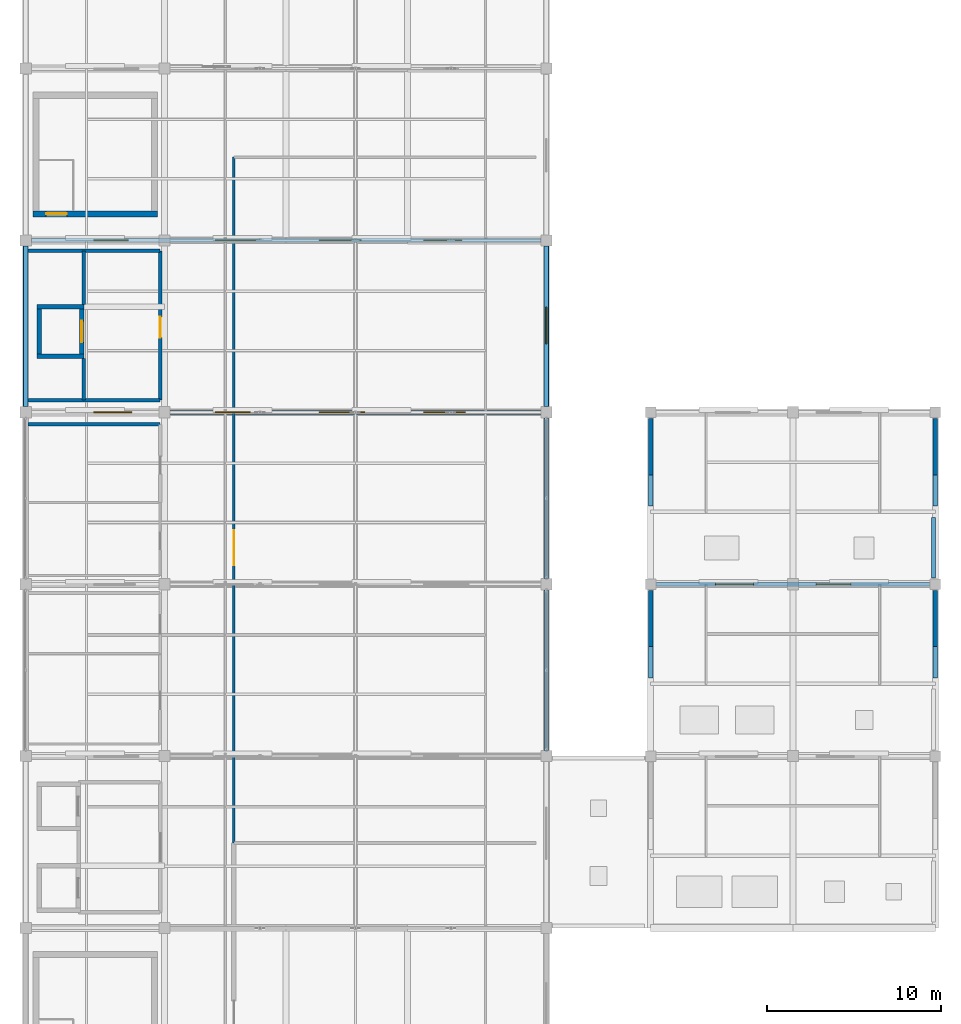
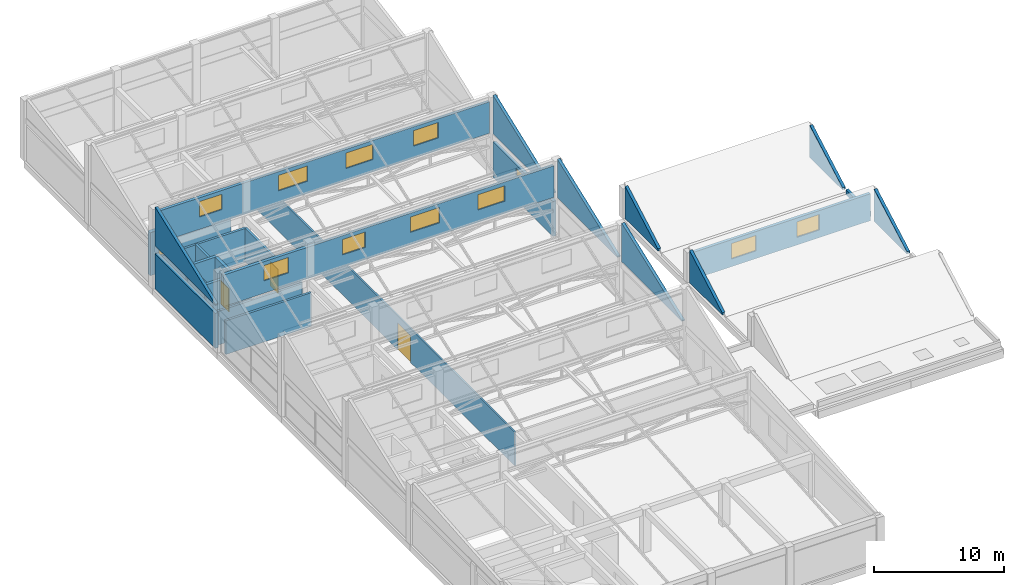
# One storey, part 31 of 35: 26 walls, 11 windows, 4 doors, 15 openings.
"""IFC4 building model written with IfcOpenShell, lengths in metres."""

from ifc_helpers import new_model, si_unit, direction, frame, frame_2d, origin, place, context, subcontext, project, spatial, polyline, rectangle, outline, extrude, material, layer, layer_set, type_object, element, fill, save


model = new_model("IFC4")

# Units and contexts
model_context = context("Model", 3, precision=1e-05, world=origin(), true_north=direction((0.0, 1.0)))
body_context = subcontext(model_context, "Body", "Model", "MODEL_VIEW")
ifc_project = project(units=[si_unit("LENGTHUNIT", "METRE"), si_unit("AREAUNIT", "SQUARE_METRE"), si_unit("VOLUMEUNIT", "CUBIC_METRE"), si_unit("PLANEANGLEUNIT", "RADIAN"), si_unit("MASSUNIT", "GRAM", prefix="KILO")], contexts=[model_context])

# Site, building, storey
site_placement = place(None, origin())
site = spatial("IfcSite", under=ifc_project, at=site_placement, CompositionType="ELEMENT")
building_placement = place(site_placement, origin())
building = spatial("IfcBuilding", under=site, at=building_placement, Name="Sillaruma Civic Art Gallery", CompositionType="ELEMENT")
storey_placement = place(building_placement, frame((0.0, 0.0, 74.4599609375)))
storey = spatial("IfcBuildingStorey", under=building, at=storey_placement, Name="L15", CompositionType="ELEMENT", Elevation=74.4599609375)

# Wall, opening, door
ifc_material_1 = material(Name="Concrete H40 (40 MPa)", Category="concrete")
ifc_layer_1 = layer(ifc_material_1, 0.35009765625, Name="Concrete H40 (40 MPa)")
ifc_layer_set_1 = layer_set([ifc_layer_1], Name="Concrete H40 (40 MPa)")
wall_type_1 = type_object("IfcWallType", Name="WAL-CORE-350", PredefinedType="SHEAR", material=ifc_layer_set_1)
wall_1_placement = place(storey_placement, frame((62.409912109375, 80.735107421875, 0.0), z_axis=(0.0, 0.0, 1.0), x_axis=(1.0, 0.0, 0.0)))
wall_1 = element("IfcWall", 1, at=wall_1_placement, inside=storey, type_object=wall_type_1, Name="Stair Core Shear Wall W-CORE-350 (ST-02:L15:S)", PredefinedType="SHEAR", context=body_context, shape_type="SweptSolid", body=[
    extrude(rectangle(XDim=7.18017578125, YDim=0.35009765625, at=frame_2d((3.590087890625, 0.0))), origin(), (0.0, 0.0, 1.0), 4.0400390625),
])
opening_1_placement = place(wall_1_placement, frame((0.77001953125, 0.0, 0.0)))
opening_1 = element("IfcOpeningElement", 2, at=opening_1_placement, cuts=wall_1, Name="Opening D-STAIR", PredefinedType="OPENING", context=body_context, shape_type="SweptSolid", body=[
    extrude(rectangle(XDim=1.199951171875, YDim=2.199951171875, at=frame_2d((0.60009765625, 1.10009765625))), frame((0.0, 0.18505859375, 0.0), z_axis=(0.0, -1.0, 0.0), x_axis=(1.0, 0.0, 0.0)), (0.0, 0.0, 1.0), 0.3701171875),
])
ifc_material_2 = material(Name="Galvanised Steel ASTM A653 Gr.50", Category="steel")
door_type_1 = type_object("IfcDoorType", Name="DOR-STAIR-120", OperationType="NOTDEFINED", PredefinedType="DOOR", material=ifc_material_2)
door_1_placement = place(opening_1_placement, origin())
door_1 = element("IfcDoor", 3, at=door_1_placement, inside=storey, type_object=door_type_1, Name="Protected Stair Fire Door (ST-02:L15)", OperationType="SINGLE_SWING_LEFT", OverallHeight=2.199951171875, OverallWidth=1.199951171875, PredefinedType="DOOR", context=body_context, shape_type="SweptSolid", body=[
    extrude(rectangle(XDim=1.199951171875, YDim=2.199951171875, at=frame_2d((0.60009765625, 1.10009765625))), frame((0.0, 0.02490234375, 0.0), z_axis=(0.0, -1.0, 0.0), x_axis=(1.0, 0.0, 0.0)), (0.0, 0.0, 1.0), 0.050048828125),
])
fill(opening_1, door_1)

# Wall
ifc_material_3 = material(Name="Concrete H35 (35 MPa)", Category="concrete")
ifc_layer_2 = layer(ifc_material_3, 0.14990234375, Name="Spandrel concrete", Category="concrete")
ifc_material_4 = material(Name="Mineral Wool Thermal Insulation", Category="insulation")
ifc_layer_3 = layer(ifc_material_4, 0.080078125, Name="Thermal insulation", Category="insulation")
ifc_material_5 = material(Name="Anodised Zinc-Aluminium Alloy", Category="aluminium")
ifc_layer_4 = layer(ifc_material_5, 0.030029296875, Name="Cladding finish", Category="aluminium")
ifc_layer_set_2 = layer_set([ifc_layer_2, ifc_layer_3, ifc_layer_4], Name="W-EXT-260")
wall_type_2 = type_object("IfcWallType", Name="WAL-EXT-260", PredefinedType="SOLIDWALL", material=ifc_layer_set_2)
wall_2_placement = place(storey_placement, frame((92.0, 49.824951171875, 4.0400390625), z_axis=(0.0, 0.0, 1.0), x_axis=(0.0, 1.0, 0.0)))
element("IfcWall", 4, at=wall_2_placement, inside=storey, type_object=wall_type_2, Name="Sawtooth Monitor Gable Cheek (2-E)", PredefinedType="SOLIDWALL", context=body_context, shape_type="SweptSolid", body=[
    extrude(outline(polyline([(0.0, 0.0), (9.25, 0.0), (9.25, 3.6201171875), (0.0, 0.10009765625), (0.0, 0.0)])), frame((0.0, 0.1298828125, 0.0), z_axis=(0.0, -1.0, 0.0), x_axis=(1.0, 0.0, 0.0)), (0.0, 0.0, 1.0), 0.260009765625),
])

# Wall, openings, windows
wall_3_placement = place(storey_placement, frame((62.324951171875, 69.300048828125, 4.0400390625), z_axis=(0.0, 0.0, 1.0), x_axis=(1.0, 0.0, 0.0)))
wall_3 = element("IfcWall", 5, at=wall_3_placement, inside=storey, type_object=wall_type_2, Name="Exterior Wall W-EXT-260 (SAW-L15-MON-3)", PredefinedType="SOLIDWALL", context=body_context, shape_type="SweptSolid", body=[
    extrude(rectangle(XDim=29.35009765625, YDim=0.260009765625, at=frame_2d((14.675048828125, 0.0))), origin(), (0.0, 0.0, 1.0), 2.95556640625),
])
opening_2_placement = place(wall_3_placement, frame((3.60009765625, 0.0, 1.14990234375)))
opening_2 = element("IfcOpeningElement", 6, at=opening_2_placement, cuts=wall_3, Name="Opening SK-03", PredefinedType="OPENING", context=body_context, shape_type="SweptSolid", body=[
    extrude(rectangle(XDim=2.199951171875, YDim=1.449951171875, at=frame_2d((1.10009765625, 0.72509765625))), frame((0.0, 0.139892578125, 0.0), z_axis=(0.0, -1.0, 0.0), x_axis=(1.0, 0.0, 0.0)), (0.0, 0.0, 1.0), 0.280029296875),
])
opening_3_placement = place(wall_3_placement, frame((10.60009765625, 0.0, 1.14990234375)))
opening_3 = element("IfcOpeningElement", 7, at=opening_3_placement, cuts=wall_3, Name="Opening SK-04", PredefinedType="OPENING", context=body_context, shape_type="SweptSolid", body=[
    extrude(rectangle(XDim=2.0, YDim=1.449951171875, at=frame_2d((1.0, 0.72509765625))), frame((0.0, 0.139892578125, 0.0), z_axis=(0.0, -1.0, 0.0), x_axis=(1.0, 0.0, 0.0)), (0.0, 0.0, 1.0), 0.280029296875),
])
opening_4_placement = place(wall_3_placement, frame((16.60009765625, 0.0, 1.14990234375)))
opening_4 = element("IfcOpeningElement", 8, at=opening_4_placement, cuts=wall_3, Name="Opening SK-01", PredefinedType="OPENING", context=body_context, shape_type="SweptSolid", body=[
    extrude(rectangle(XDim=2.60009765625, YDim=1.449951171875, at=frame_2d((1.300048828125, 0.72509765625))), frame((0.0, 0.139892578125, 0.0), z_axis=(0.0, -1.0, 0.0), x_axis=(1.0, 0.0, 0.0)), (0.0, 0.0, 1.0), 0.280029296875),
])
opening_5_placement = place(wall_3_placement, frame((22.60009765625, 0.0, 1.14990234375)))
opening_5 = element("IfcOpeningElement", 9, at=opening_5_placement, cuts=wall_3, Name="Opening SK-02", PredefinedType="OPENING", context=body_context, shape_type="SweptSolid", body=[
    extrude(rectangle(XDim=2.39990234375, YDim=1.449951171875, at=frame_2d((1.199951171875, 0.72509765625))), frame((0.0, 0.139892578125, 0.0), z_axis=(0.0, -1.0, 0.0), x_axis=(1.0, 0.0, 0.0)), (0.0, 0.0, 1.0), 0.280029296875),
])
ifc_material_6 = material(Name="Thermally Broken Extruded Aluminium 6063-T6", Category="aluminium")
window_type_1 = type_object("IfcWindowType", Name="WIN-SKY-01", PartitioningType="SINGLE_PANEL", PredefinedType="SKYLIGHT", material=ifc_material_6)
window_1_placement = place(opening_4_placement, origin())
window_1 = element("IfcWindow", 10, at=window_1_placement, inside=storey, type_object=window_type_1, Name="Window SK-01 (SAW-L15-MON-3-3)", OverallHeight=1.449951171875, OverallWidth=2.60009765625, PartitioningType="SINGLE_PANEL", PredefinedType="SKYLIGHT", context=body_context, shape_type="SweptSolid", body=[
    extrude(rectangle(XDim=2.60009765625, YDim=1.449951171875, at=frame_2d((1.300048828125, 0.72509765625))), frame((0.0, 0.030029296875, 0.0), z_axis=(0.0, -1.0, 0.0), x_axis=(1.0, 0.0, 0.0)), (0.0, 0.0, 1.0), 0.06005859375),
])
fill(opening_4, window_1)
window_type_2 = type_object("IfcWindowType", Name="WIN-SKY-02", PartitioningType="SINGLE_PANEL", PredefinedType="SKYLIGHT", material=ifc_material_6)
window_2_placement = place(opening_5_placement, origin())
window_2 = element("IfcWindow", 11, at=window_2_placement, inside=storey, type_object=window_type_2, Name="Window SK-02 (SAW-L15-MON-3-4)", OverallHeight=1.449951171875, OverallWidth=2.39990234375, PartitioningType="SINGLE_PANEL", PredefinedType="SKYLIGHT", context=body_context, shape_type="SweptSolid", body=[
    extrude(rectangle(XDim=2.39990234375, YDim=1.449951171875, at=frame_2d((1.199951171875, 0.72509765625))), frame((0.0, 0.030029296875, 0.0), z_axis=(0.0, -1.0, 0.0), x_axis=(1.0, 0.0, 0.0)), (0.0, 0.0, 1.0), 0.06005859375),
])
fill(opening_5, window_2)
window_type_3 = type_object("IfcWindowType", Name="WIN-SKY-03", PartitioningType="SINGLE_PANEL", PredefinedType="SKYLIGHT", material=ifc_material_6)
window_3_placement = place(opening_2_placement, origin())
window_3 = element("IfcWindow", 12, at=window_3_placement, inside=storey, type_object=window_type_3, Name="Window SK-03 (SAW-L15-MON-3-1)", OverallHeight=1.449951171875, OverallWidth=2.199951171875, PartitioningType="SINGLE_PANEL", PredefinedType="SKYLIGHT", context=body_context, shape_type="SweptSolid", body=[
    extrude(rectangle(XDim=2.199951171875, YDim=1.449951171875, at=frame_2d((1.10009765625, 0.72509765625))), frame((0.0, 0.030029296875, 0.0), z_axis=(0.0, -1.0, 0.0), x_axis=(1.0, 0.0, 0.0)), (0.0, 0.0, 1.0), 0.06005859375),
])
fill(opening_2, window_3)
window_type_4 = type_object("IfcWindowType", Name="WIN-SKY-04", PartitioningType="SINGLE_PANEL", PredefinedType="SKYLIGHT", material=ifc_material_6)
window_4_placement = place(opening_3_placement, origin())
window_4 = element("IfcWindow", 13, at=window_4_placement, inside=storey, type_object=window_type_4, Name="Window SK-04 (SAW-L15-MON-3-2)", OverallHeight=1.449951171875, OverallWidth=2.0, PartitioningType="SINGLE_PANEL", PredefinedType="SKYLIGHT", context=body_context, shape_type="SweptSolid", body=[
    extrude(rectangle(XDim=2.0, YDim=1.449951171875, at=frame_2d((1.0, 0.72509765625))), frame((0.0, 0.030029296875, 0.0), z_axis=(0.0, -1.0, 0.0), x_axis=(1.0, 0.0, 0.0)), (0.0, 0.0, 1.0), 0.06005859375),
])
fill(opening_3, window_4)

# Wall
wall_4_placement = place(storey_placement, frame((92.0, 59.72509765625, 4.0400390625), z_axis=(0.0, 0.0, 1.0), x_axis=(0.0, 1.0, 0.0)))
element("IfcWall", 14, at=wall_4_placement, inside=storey, type_object=wall_type_2, Name="Sawtooth Monitor Gable Cheek (3-E)", PredefinedType="SOLIDWALL", context=body_context, shape_type="SweptSolid", body=[
    extrude(outline(polyline([(0.0, 0.0), (9.25, 0.0), (9.25, 3.6201171875), (0.0, 0.10009765625), (0.0, 0.0)])), frame((0.0, 0.1298828125, 0.0), z_axis=(0.0, -1.0, 0.0), x_axis=(1.0, 0.0, 0.0)), (0.0, 0.0, 1.0), 0.260009765625),
])

# Wall, openings, windows
wall_5_placement = place(storey_placement, frame((62.324951171875, 79.199951171875, 4.0400390625), z_axis=(0.0, 0.0, 1.0), x_axis=(1.0, 0.0, 0.0)))
wall_5 = element("IfcWall", 15, at=wall_5_placement, inside=storey, type_object=wall_type_2, Name="Exterior Wall W-EXT-260 (SAW-L15-MON-4)", PredefinedType="SOLIDWALL", context=body_context, shape_type="SweptSolid", body=[
    extrude(rectangle(XDim=29.35009765625, YDim=0.260009765625, at=frame_2d((14.675048828125, 0.0))), origin(), (0.0, 0.0, 1.0), 2.95556640625),
])
opening_6_placement = place(wall_5_placement, frame((3.60009765625, 0.0, 1.14990234375)))
opening_6 = element("IfcOpeningElement", 16, at=opening_6_placement, cuts=wall_5, Name="Opening SK-04", PredefinedType="OPENING", context=body_context, shape_type="SweptSolid", body=[
    extrude(rectangle(XDim=2.0, YDim=1.449951171875, at=frame_2d((1.0, 0.72509765625))), frame((0.0, 0.139892578125, 0.0), z_axis=(0.0, -1.0, 0.0), x_axis=(1.0, 0.0, 0.0)), (0.0, 0.0, 1.0), 0.280029296875),
])
opening_7_placement = place(wall_5_placement, frame((10.60009765625, 0.0, 1.14990234375)))
opening_7 = element("IfcOpeningElement", 17, at=opening_7_placement, cuts=wall_5, Name="Opening SK-01", PredefinedType="OPENING", context=body_context, shape_type="SweptSolid", body=[
    extrude(rectangle(XDim=2.60009765625, YDim=1.449951171875, at=frame_2d((1.300048828125, 0.72509765625))), frame((0.0, 0.139892578125, 0.0), z_axis=(0.0, -1.0, 0.0), x_axis=(1.0, 0.0, 0.0)), (0.0, 0.0, 1.0), 0.280029296875),
])
opening_8_placement = place(wall_5_placement, frame((16.60009765625, 0.0, 1.14990234375)))
opening_8 = element("IfcOpeningElement", 18, at=opening_8_placement, cuts=wall_5, Name="Opening SK-02", PredefinedType="OPENING", context=body_context, shape_type="SweptSolid", body=[
    extrude(rectangle(XDim=2.39990234375, YDim=1.449951171875, at=frame_2d((1.199951171875, 0.72509765625))), frame((0.0, 0.139892578125, 0.0), z_axis=(0.0, -1.0, 0.0), x_axis=(1.0, 0.0, 0.0)), (0.0, 0.0, 1.0), 0.280029296875),
])
opening_9_placement = place(wall_5_placement, frame((22.60009765625, 0.0, 1.14990234375)))
opening_9 = element("IfcOpeningElement", 19, at=opening_9_placement, cuts=wall_5, Name="Opening SK-03", PredefinedType="OPENING", context=body_context, shape_type="SweptSolid", body=[
    extrude(rectangle(XDim=2.199951171875, YDim=1.449951171875, at=frame_2d((1.10009765625, 0.72509765625))), frame((0.0, 0.139892578125, 0.0), z_axis=(0.0, -1.0, 0.0), x_axis=(1.0, 0.0, 0.0)), (0.0, 0.0, 1.0), 0.280029296875),
])
window_5_placement = place(opening_7_placement, origin())
window_5 = element("IfcWindow", 20, at=window_5_placement, inside=storey, type_object=window_type_1, Name="Window SK-01 (SAW-L15-MON-4-2)", OverallHeight=1.449951171875, OverallWidth=2.60009765625, PartitioningType="SINGLE_PANEL", PredefinedType="SKYLIGHT", context=body_context, shape_type="SweptSolid", body=[
    extrude(rectangle(XDim=2.60009765625, YDim=1.449951171875, at=frame_2d((1.300048828125, 0.72509765625))), frame((0.0, 0.030029296875, 0.0), z_axis=(0.0, -1.0, 0.0), x_axis=(1.0, 0.0, 0.0)), (0.0, 0.0, 1.0), 0.06005859375),
])
fill(opening_7, window_5)
window_6_placement = place(opening_8_placement, origin())
window_6 = element("IfcWindow", 21, at=window_6_placement, inside=storey, type_object=window_type_2, Name="Window SK-02 (SAW-L15-MON-4-3)", OverallHeight=1.449951171875, OverallWidth=2.39990234375, PartitioningType="SINGLE_PANEL", PredefinedType="SKYLIGHT", context=body_context, shape_type="SweptSolid", body=[
    extrude(rectangle(XDim=2.39990234375, YDim=1.449951171875, at=frame_2d((1.199951171875, 0.72509765625))), frame((0.0, 0.030029296875, 0.0), z_axis=(0.0, -1.0, 0.0), x_axis=(1.0, 0.0, 0.0)), (0.0, 0.0, 1.0), 0.06005859375),
])
fill(opening_8, window_6)
window_7_placement = place(opening_9_placement, origin())
window_7 = element("IfcWindow", 22, at=window_7_placement, inside=storey, type_object=window_type_3, Name="Window SK-03 (SAW-L15-MON-4-4)", OverallHeight=1.449951171875, OverallWidth=2.199951171875, PartitioningType="SINGLE_PANEL", PredefinedType="SKYLIGHT", context=body_context, shape_type="SweptSolid", body=[
    extrude(rectangle(XDim=2.199951171875, YDim=1.449951171875, at=frame_2d((1.10009765625, 0.72509765625))), frame((0.0, 0.030029296875, 0.0), z_axis=(0.0, -1.0, 0.0), x_axis=(1.0, 0.0, 0.0)), (0.0, 0.0, 1.0), 0.06005859375),
])
fill(opening_9, window_7)
window_8_placement = place(opening_6_placement, origin())
window_8 = element("IfcWindow", 23, at=window_8_placement, inside=storey, type_object=window_type_4, Name="Window SK-04 (SAW-L15-MON-4-1)", OverallHeight=1.449951171875, OverallWidth=2.0, PartitioningType="SINGLE_PANEL", PredefinedType="SKYLIGHT", context=body_context, shape_type="SweptSolid", body=[
    extrude(rectangle(XDim=2.0, YDim=1.449951171875, at=frame_2d((1.0, 0.72509765625))), frame((0.0, 0.030029296875, 0.0), z_axis=(0.0, -1.0, 0.0), x_axis=(1.0, 0.0, 0.0)), (0.0, 0.0, 1.0), 0.06005859375),
])
fill(opening_6, window_8)

# Walls
for number, where, z_axis, x_axis, name in (
    (24, (62.0, 69.625, 4.0400390625), (0.0, 0.0, 1.0), (0.0, 1.0, 0.0), "Sawtooth Monitor Gable Cheek (4-W)"),
    (25, (92.0, 69.625, 4.0400390625), (0.0, 0.0, 1.0), (0.0, 1.0, 0.0), "Sawtooth Monitor Gable Cheek (4-E)"),
):
    element("IfcWall", number, at=place(storey_placement, frame(where, z_axis=z_axis, x_axis=x_axis)), inside=storey, type_object=wall_type_2, Name=name, PredefinedType="SOLIDWALL", context=body_context, shape_type="SweptSolid", body=[
        extrude(outline(polyline([(0.0, 0.0), (9.25, 0.0), (9.25, 3.6201171875), (0.0, 0.10009765625), (0.0, 0.0)])), frame((0.0, 0.1298828125, 0.0), z_axis=(0.0, -1.0, 0.0), x_axis=(1.0, 0.0, 0.0)), (0.0, 0.0, 1.0), 0.260009765625),
    ])

# Wall, openings, windows
wall_6_placement = place(storey_placement, frame((98.330078125, 59.39990234375, 0.0), z_axis=(0.0, 0.0, 1.0), x_axis=(1.0, 0.0, 0.0)))
wall_6 = element("IfcWall", 26, at=wall_6_placement, inside=storey, type_object=wall_type_2, Name="Exterior Wall W-EXT-260 (SAW-EHH-MON-2)", PredefinedType="SOLIDWALL", context=body_context, shape_type="SweptSolid", body=[
    extrude(rectangle(XDim=15.739990234375, YDim=0.260009765625, at=frame_2d((7.8701171875, 0.0))), origin(), (0.0, 0.0, 1.0), 2.531494140625),
])
opening_10_placement = place(wall_6_placement, frame((3.39990234375, 0.0, 0.719970703125)))
opening_10 = element("IfcOpeningElement", 27, at=opening_10_placement, cuts=wall_6, Name="Opening SK-03", PredefinedType="OPENING", context=body_context, shape_type="SweptSolid", body=[
    extrude(rectangle(XDim=2.199951171875, YDim=1.449951171875, at=frame_2d((1.10009765625, 0.72509765625))), frame((0.0, 0.139892578125, 0.0), z_axis=(0.0, -1.0, 0.0), x_axis=(1.0, 0.0, 0.0)), (0.0, 0.0, 1.0), 0.280029296875),
])
opening_11_placement = place(wall_6_placement, frame((9.199951171875, 0.0, 0.719970703125)))
opening_11 = element("IfcOpeningElement", 28, at=opening_11_placement, cuts=wall_6, Name="Opening SK-04", PredefinedType="OPENING", context=body_context, shape_type="SweptSolid", body=[
    extrude(rectangle(XDim=2.0, YDim=1.449951171875, at=frame_2d((1.0, 0.72509765625))), frame((0.0, 0.139892578125, 0.0), z_axis=(0.0, -1.0, 0.0), x_axis=(1.0, 0.0, 0.0)), (0.0, 0.0, 1.0), 0.280029296875),
])
window_9_placement = place(opening_10_placement, origin())
window_9 = element("IfcWindow", 29, at=window_9_placement, inside=storey, type_object=window_type_3, Name="Window SK-03 (SAW-EHH-MON-2-1)", OverallHeight=1.449951171875, OverallWidth=2.199951171875, PartitioningType="SINGLE_PANEL", PredefinedType="SKYLIGHT", context=body_context, shape_type="SweptSolid", body=[
    extrude(rectangle(XDim=2.199951171875, YDim=1.449951171875, at=frame_2d((1.10009765625, 0.72509765625))), frame((0.0, 0.030029296875, 0.0), z_axis=(0.0, -1.0, 0.0), x_axis=(1.0, 0.0, 0.0)), (0.0, 0.0, 1.0), 0.06005859375),
])
fill(opening_10, window_9)
window_10_placement = place(opening_11_placement, origin())
window_10 = element("IfcWindow", 30, at=window_10_placement, inside=storey, type_object=window_type_4, Name="Window SK-04 (SAW-EHH-MON-2-2)", OverallHeight=1.449951171875, OverallWidth=2.0, PartitioningType="SINGLE_PANEL", PredefinedType="SKYLIGHT", context=body_context, shape_type="SweptSolid", body=[
    extrude(rectangle(XDim=2.0, YDim=1.449951171875, at=frame_2d((1.0, 0.72509765625))), frame((0.0, 0.030029296875, 0.0), z_axis=(0.0, -1.0, 0.0), x_axis=(1.0, 0.0, 0.0)), (0.0, 0.0, 1.0), 0.06005859375),
])
fill(opening_11, window_10)

# Walls
for number, where, z_axis, x_axis, name in (
    (31, (98.0, 54.010009765625, 0.0), (0.0, 0.0, 1.0), (0.0, 1.0, 0.0), "East Crown Sawtooth Gable Cheek (2-W)"),
    (32, (114.39990234375, 54.010009765625, 0.0), (0.0, 0.0, 1.0), (0.0, 1.0, 0.0), "East Crown Sawtooth Gable Cheek (2-E)"),
    (33, (98.0, 63.909912109375, 0.0), (0.0, 0.0, 1.0), (0.0, 1.0, 0.0), "East Crown Sawtooth Gable Cheek (3-W)"),
    (34, (114.39990234375, 63.909912109375, 0.0), (0.0, 0.0, 1.0), (0.0, 1.0, 0.0), "East Crown Sawtooth Gable Cheek (3-E)"),
):
    element("IfcWall", number, at=place(storey_placement, frame(where, z_axis=z_axis, x_axis=x_axis)), inside=storey, type_object=wall_type_2, Name=name, PredefinedType="SOLIDWALL", context=body_context, shape_type="SweptSolid", body=[
        extrude(outline(polyline([(0.0, 0.0), (5.0400390625, 0.0), (5.0400390625, 3.02001953125), (0.0, 0.199951171875), (0.0, 0.0)])), frame((0.0, 0.1298828125, 0.0), z_axis=(0.0, -1.0, 0.0), x_axis=(1.0, 0.0, 0.0)), (0.0, 0.0, 1.0), 0.260009765625),
    ])

# Wall, opening, window
ifc_layer_5 = layer(ifc_material_3, 0.159912109375, Name="Concrete backup", Category="concrete")
ifc_layer_6 = layer(ifc_material_4, 0.090087890625, Name="Thermal insulation", Category="insulation")
ifc_layer_7 = layer(ifc_material_5, 0.030029296875, Name="Rainscreen finish", Category="aluminium")
ifc_layer_set_3 = layer_set([ifc_layer_5, ifc_layer_6, ifc_layer_7], Name="W-EXT-280")
wall_type_3 = type_object("IfcWallType", Name="WAL-EXT-280", PredefinedType="SOLIDWALL", material=ifc_layer_set_3)
wall_7_placement = place(storey_placement, frame((92.0, 69.625, 0.0), z_axis=(0.0, 0.0, 1.0), x_axis=(0.0, 1.0, 0.0)))
wall_7 = element("IfcWall", 35, at=wall_7_placement, inside=storey, type_object=wall_type_3, Name="Exterior Wall W-EXT-280 (EW-L15-WBE-6)", PredefinedType="SOLIDWALL", context=body_context, shape_type="SweptSolid", body=[
    extrude(rectangle(XDim=9.25, YDim=0.280029296875, at=frame_2d((4.625, 0.0))), origin(), (0.0, 0.0, 1.0), 3.2900390625),
])
opening_12_placement = place(wall_7_placement, frame((3.625, 0.0, 1.449951171875)))
opening_12 = element("IfcOpeningElement", 36, at=opening_12_placement, cuts=wall_7, Name="Opening WN-13", PredefinedType="OPENING", context=body_context, shape_type="SweptSolid", body=[
    extrude(rectangle(XDim=2.10009765625, YDim=1.5, at=frame_2d((1.050048828125, 0.75))), frame((0.0, 0.14990234375, 0.0), z_axis=(0.0, -1.0, 0.0), x_axis=(1.0, 0.0, 0.0)), (0.0, 0.0, 1.0), 0.300048828125),
])
window_type_5 = type_object("IfcWindowType", Name="WIN-W13", PartitioningType="SINGLE_PANEL", PredefinedType="WINDOW", material=ifc_material_6)
window_11_placement = place(opening_12_placement, origin())
window_11 = element("IfcWindow", 37, at=window_11_placement, inside=storey, type_object=window_type_5, Name="Window WN-13 (EW-L15-WBE-6-1)", OverallHeight=1.5, OverallWidth=2.10009765625, PartitioningType="SINGLE_PANEL", PredefinedType="WINDOW", context=body_context, shape_type="SweptSolid", body=[
    extrude(rectangle(XDim=2.10009765625, YDim=1.5, at=frame_2d((1.050048828125, 0.75))), frame((0.0, 0.030029296875, 0.0), z_axis=(0.0, -1.0, 0.0), x_axis=(1.0, 0.0, 0.0)), (0.0, 0.0, 1.0), 0.06005859375),
])
fill(opening_12, window_11)

# Walls
ifc_layer_8 = layer(ifc_material_3, 0.169921875, Name="Concrete backup", Category="concrete")
ifc_layer_9 = layer(ifc_material_4, 0.090087890625, Name="Thermal insulation", Category="insulation")
ifc_layer_10 = layer(ifc_material_5, 0.030029296875, Name="Rainscreen finish", Category="aluminium")
ifc_layer_set_4 = layer_set([ifc_layer_8, ifc_layer_9, ifc_layer_10], Name="W-EXT-290")
wall_type_4 = type_object("IfcWallType", Name="WAL-EXT-290", PredefinedType="SOLIDWALL", material=ifc_layer_set_4)
wall_8_placement = place(storey_placement, frame((62.0, 69.625, 0.0), z_axis=(0.0, 0.0, 1.0), x_axis=(0.0, 1.0, 0.0)))
element("IfcWall", 38, at=wall_8_placement, inside=storey, type_object=wall_type_4, Name="Exterior Wall W-EXT-290 (EW-L15-WBW-6)", PredefinedType="SOLIDWALL", context=body_context, shape_type="SweptSolid", body=[
    extrude(rectangle(XDim=9.25, YDim=0.2900390625, at=frame_2d((4.625, 0.0))), origin(), (0.0, 0.0, 1.0), 3.2900390625),
])
ifc_material_7 = material(Name="Concrete Masonry Unit Grade M15", Category="masonry")
ifc_layer_11 = layer(ifc_material_7, 0.199951171875, Name="Concrete Masonry Unit Grade M15")
ifc_layer_set_5 = layer_set([ifc_layer_11], Name="Concrete Masonry Unit Grade M15")
wall_type_5 = type_object("IfcWallType", Name="WAL-LOBBY-200", PredefinedType="SOLIDWALL", material=ifc_layer_set_5)
for number, where, z_axis, x_axis, name in (
    (39, (62.14990234375, 70.0, 0.0), (0.0, 0.0, 1.0), (1.0, 0.0, 0.0), "Interior Wall W-LOBBY-200 (L15-FFL)"),
    (40, (62.14990234375, 78.60009765625, 0.0), (0.0, 0.0, 1.0), (1.0, 0.0, 0.0), "Interior Wall W-LOBBY-200 (L15-FFL)"),
):
    element("IfcWall", number, at=place(storey_placement, frame(where, z_axis=z_axis, x_axis=x_axis)), inside=storey, type_object=wall_type_5, Name=name, PredefinedType="SOLIDWALL", context=body_context, shape_type="SweptSolid", body=[
        extrude(rectangle(XDim=7.60009765625, YDim=0.199951171875, at=frame_2d((3.800048828125, 0.0))), origin(), (0.0, 0.0, 1.0), 3.16015625),
    ])
wall_9_placement = place(storey_placement, frame((65.35009765625, 70.0, 0.0), z_axis=(0.0, 0.0, 1.0), x_axis=(0.0, 1.0, 0.0)))
element("IfcWall", 41, at=wall_9_placement, inside=storey, type_object=wall_type_5, Name="Interior Wall W-LOBBY-200 (L15-FFL)", PredefinedType="SOLIDWALL", context=body_context, shape_type="SweptSolid", body=[
    extrude(rectangle(XDim=2.39990234375, YDim=0.199951171875, at=frame_2d((1.199951171875, 0.0))), origin(), (0.0, 0.0, 1.0), 3.16015625),
])
wall_10_placement = place(storey_placement, frame((65.35009765625, 75.5, 0.0), z_axis=(0.0, 0.0, 1.0), x_axis=(0.0, 1.0, 0.0)))
element("IfcWall", 42, at=wall_10_placement, inside=storey, type_object=wall_type_5, Name="Interior Wall W-LOBBY-200 (L15-FFL)", PredefinedType="SOLIDWALL", context=body_context, shape_type="SweptSolid", body=[
    extrude(rectangle(XDim=3.10009765625, YDim=0.199951171875, at=frame_2d((1.550048828125, 0.0))), origin(), (0.0, 0.0, 1.0), 3.16015625),
])

# Wall, opening, door
wall_11_placement = place(storey_placement, frame((69.75, 70.0, 0.0), z_axis=(0.0, 0.0, 1.0), x_axis=(0.0, 1.0, 0.0)))
wall_11 = element("IfcWall", 43, at=wall_11_placement, inside=storey, type_object=wall_type_5, Name="Interior Wall W-LOBBY-200 (L15-FFL)", PredefinedType="SOLIDWALL", context=body_context, shape_type="SweptSolid", body=[
    extrude(rectangle(XDim=8.60009765625, YDim=0.199951171875, at=frame_2d((4.300048828125, 0.0))), origin(), (0.0, 0.0, 1.0), 3.16015625),
])
opening_13_placement = place(wall_11_placement, frame((3.60009765625, 0.0, 0.0)))
opening_13 = element("IfcOpeningElement", 44, at=opening_13_placement, cuts=wall_11, Name="Opening D-FFL", PredefinedType="OPENING", context=body_context, shape_type="SweptSolid", body=[
    extrude(rectangle(XDim=1.199951171875, YDim=2.25, at=frame_2d((0.60009765625, 1.125))), frame((0.0, 0.10986328125, 0.0), z_axis=(0.0, -1.0, 0.0), x_axis=(1.0, 0.0, 0.0)), (0.0, 0.0, 1.0), 0.219970703125),
])
door_type_2 = type_object("IfcDoorType", Name="DOR-FFL-120", OperationType="NOTDEFINED", PredefinedType="DOOR", material=ifc_material_2)
door_2_placement = place(opening_13_placement, origin())
door_2 = element("IfcDoor", 45, at=door_2_placement, inside=storey, type_object=door_type_2, Name="Firefighting Lobby Door (D-FFL)", OperationType="SINGLE_SWING_LEFT", OverallHeight=2.25, OverallWidth=1.199951171875, PredefinedType="DOOR", context=body_context, shape_type="SweptSolid", body=[
    extrude(rectangle(XDim=1.199951171875, YDim=2.25, at=frame_2d((0.60009765625, 1.125))), frame((0.0, 0.02490234375, 0.0), z_axis=(0.0, -1.0, 0.0), x_axis=(1.0, 0.0, 0.0)), (0.0, 0.0, 1.0), 0.050048828125),
])
fill(opening_13, door_2)

# Walls
wall_12_placement = place(storey_placement, frame((62.14990234375, 68.60009765625, 0.0), z_axis=(0.0, 0.0, 1.0), x_axis=(1.0, 0.0, 0.0)))
element("IfcWall", 46, at=wall_12_placement, inside=storey, type_object=wall_type_5, Name="Interior Wall W-LOBBY-200 (L15-RSR)", PredefinedType="SOLIDWALL", context=body_context, shape_type="SweptSolid", body=[
    extrude(rectangle(XDim=7.60009765625, YDim=0.199951171875, at=frame_2d((3.800048828125, 0.0))), origin(), (0.0, 0.0, 1.0), 3.16015625),
])
ifc_layer_12 = layer(ifc_material_3, 0.219970703125, Name="Concrete H35 (35 MPa)")
ifc_layer_set_6 = layer_set([ifc_layer_12], Name="Concrete H35 (35 MPa)")
wall_type_6 = type_object("IfcWallType", Name="WAL-PAR-220", PredefinedType="PARAPET", material=ifc_layer_set_6)
wall_13_placement = place(storey_placement, frame((114.2900390625, 59.75, 0.0), z_axis=(0.0, 0.0, 1.0), x_axis=(0.0, 1.0, 0.0)))
element("IfcWall", 47, at=wall_13_placement, inside=storey, type_object=wall_type_6, Name="Roof Parapet (L15-EV3-E)", PredefinedType="PARAPET", context=body_context, shape_type="SweptSolid", body=[
    extrude(rectangle(XDim=3.5, YDim=0.219970703125, at=frame_2d((1.75, 0.0))), origin(), (0.0, 0.0, 1.0), 0.47998046875),
])

# Wall, opening, door
ifc_material_8 = material(Name="Gypsum Acoustic Board", Category="gypsum")
ifc_layer_13 = layer(ifc_material_8, 0.02490234375, Name="Finish board", Category="gypsum")
ifc_layer_14 = layer(ifc_material_4, 0.090087890625, Name="Acoustic core", Category="insulation")
ifc_material_9 = material(Name="Andean Oak Timber", Category="wood")
ifc_layer_15 = layer(ifc_material_9, 0.02490234375, Name="Gallery lining", Category="wood")
ifc_layer_set_7 = layer_set([ifc_layer_13, ifc_layer_14, ifc_layer_15], Name="W-PT-140")
wall_type_7 = type_object("IfcWallType", Name="WAL-PART-140", PredefinedType="PARTITIONING", material=ifc_layer_set_7)
wall_14_placement = place(storey_placement, frame((74.0, 44.5, 0.0), z_axis=(0.0, 0.0, 1.0), x_axis=(0.0, 1.0, 0.0)))
wall_14 = element("IfcWall", 48, at=wall_14_placement, inside=storey, type_object=wall_type_7, Name="Interior Wall W-PT-140 (L15-GAL15)", PredefinedType="PARTITIONING", context=body_context, shape_type="SweptSolid", body=[
    extrude(rectangle(XDim=39.5, YDim=0.139892578125, at=frame_2d((19.75, 0.0))), origin(), (0.0, 0.0, 1.0), 3.16015625),
])
opening_14_placement = place(wall_14_placement, frame((16.0, 0.0, 0.0)))
opening_14 = element("IfcOpeningElement", 49, at=opening_14_placement, cuts=wall_14, Name="Opening D-GAL20", PredefinedType="OPENING", context=body_context, shape_type="SweptSolid", body=[
    extrude(rectangle(XDim=2.0, YDim=2.5, at=frame_2d((1.0, 1.25))), frame((0.0, 0.079833984375, 0.0), z_axis=(0.0, -1.0, 0.0), x_axis=(1.0, 0.0, 0.0)), (0.0, 0.0, 1.0), 0.159912109375),
])
door_type_3 = type_object("IfcDoorType", Name="DOR-GAL-200", OperationType="NOTDEFINED", PredefinedType="DOOR", material=ifc_material_9)
door_3_placement = place(opening_14_placement, origin())
door_3 = element("IfcDoor", 50, at=door_3_placement, inside=storey, type_object=door_type_3, Name="Top-Lit Sawtooth Crown Gallery Door (D-GAL20)", OperationType="DOUBLE_DOOR_SINGLE_SWING", OverallHeight=2.5, OverallWidth=2.0, PredefinedType="DOOR", context=body_context, shape_type="SweptSolid", body=[
    extrude(rectangle(XDim=2.0, YDim=2.5, at=frame_2d((1.0, 1.25))), frame((0.0, 0.02490234375, 0.0), z_axis=(0.0, -1.0, 0.0), x_axis=(1.0, 0.0, 0.0)), (0.0, 0.0, 1.0), 0.050048828125),
])
fill(opening_14, door_3)

# Walls
ifc_layer_16 = layer(ifc_material_1, 0.25, Name="Concrete H40 (40 MPa)")
ifc_layer_set_8 = layer_set([ifc_layer_16], Name="Concrete H40 (40 MPa)")
wall_type_8 = type_object("IfcWallType", Name="WAL-SHAFT-250", PredefinedType="SOLIDWALL", material=ifc_layer_set_8)
for number, where, z_axis, x_axis, name in (
    (51, (62.64990234375, 72.52490234375, 0.0), (0.0, 0.0, 1.0), (1.0, 0.0, 0.0), "Lift Shaft Wall W-SHAFT-250 (FFL-01:L15:S)"),
    (52, (62.64990234375, 75.375, 0.0), (0.0, 0.0, 1.0), (1.0, 0.0, 0.0), "Lift Shaft Wall W-SHAFT-250 (FFL-01:L15:N)"),
):
    element("IfcWall", number, at=place(storey_placement, frame(where, z_axis=z_axis, x_axis=x_axis)), inside=storey, type_object=wall_type_8, Name=name, PredefinedType="SOLIDWALL", context=body_context, shape_type="SweptSolid", body=[
        extrude(rectangle(XDim=2.7001953125, YDim=0.25, at=frame_2d((1.35009765625, 0.0))), origin(), (0.0, 0.0, 1.0), 4.02001953125),
    ])
wall_15_placement = place(storey_placement, frame((62.77490234375, 72.64990234375, 0.0), z_axis=(0.0, 0.0, 1.0), x_axis=(0.0, 1.0, 0.0)))
element("IfcWall", 53, at=wall_15_placement, inside=storey, type_object=wall_type_8, Name="Lift Shaft Wall W-SHAFT-250 (FFL-01:L15:W)", PredefinedType="SOLIDWALL", context=body_context, shape_type="SweptSolid", body=[
    extrude(rectangle(XDim=2.60009765625, YDim=0.25, at=frame_2d((1.300048828125, 0.0))), origin(), (0.0, 0.0, 1.0), 4.02001953125),
])

# Wall, opening, door
wall_16_placement = place(storey_placement, frame((65.22509765625, 72.64990234375, 0.0), z_axis=(0.0, 0.0, 1.0), x_axis=(0.0, 1.0, 0.0)))
wall_16 = element("IfcWall", 54, at=wall_16_placement, inside=storey, type_object=wall_type_8, Name="Lift Shaft Wall W-SHAFT-250 (FFL-01:L15:E)", PredefinedType="SOLIDWALL", context=body_context, shape_type="SweptSolid", body=[
    extrude(rectangle(XDim=2.60009765625, YDim=0.25, at=frame_2d((1.300048828125, 0.0))), origin(), (0.0, 0.0, 1.0), 4.02001953125),
])
opening_15_placement = place(wall_16_placement, frame((0.675048828125, 0.0, 0.0)))
opening_15 = element("IfcOpeningElement", 55, at=opening_15_placement, cuts=wall_16, Name="Opening LD-02", PredefinedType="OPENING", context=body_context, shape_type="SweptSolid", body=[
    extrude(rectangle(XDim=1.25, YDim=2.199951171875, at=frame_2d((0.625, 1.10009765625))), frame((0.0, 0.135009765625, 0.0), z_axis=(0.0, -1.0, 0.0), x_axis=(1.0, 0.0, 0.0)), (0.0, 0.0, 1.0), 0.27001953125),
])
door_type_4 = type_object("IfcDoorType", Name="DOR-LD-02", OperationType="NOTDEFINED", PredefinedType="DOOR", material=ifc_material_2)
door_4_placement = place(opening_15_placement, origin())
door_4 = element("IfcDoor", 56, at=door_4_placement, inside=storey, type_object=door_type_4, Name="Lift Sliding Landing Door LD-02 (FFL-01:L15)", OperationType="DOUBLE_DOOR_SLIDING", OverallHeight=2.199951171875, OverallWidth=1.25, PredefinedType="DOOR", context=body_context, shape_type="SweptSolid", body=[
    extrude(rectangle(XDim=1.25, YDim=2.199951171875, at=frame_2d((0.625, 1.10009765625))), frame((0.0, 0.02490234375, 0.0), z_axis=(0.0, -1.0, 0.0), x_axis=(1.0, 0.0, 0.0)), (0.0, 0.0, 1.0), 0.050048828125),
])
fill(opening_15, door_4)

save(model, "model.ifc")
